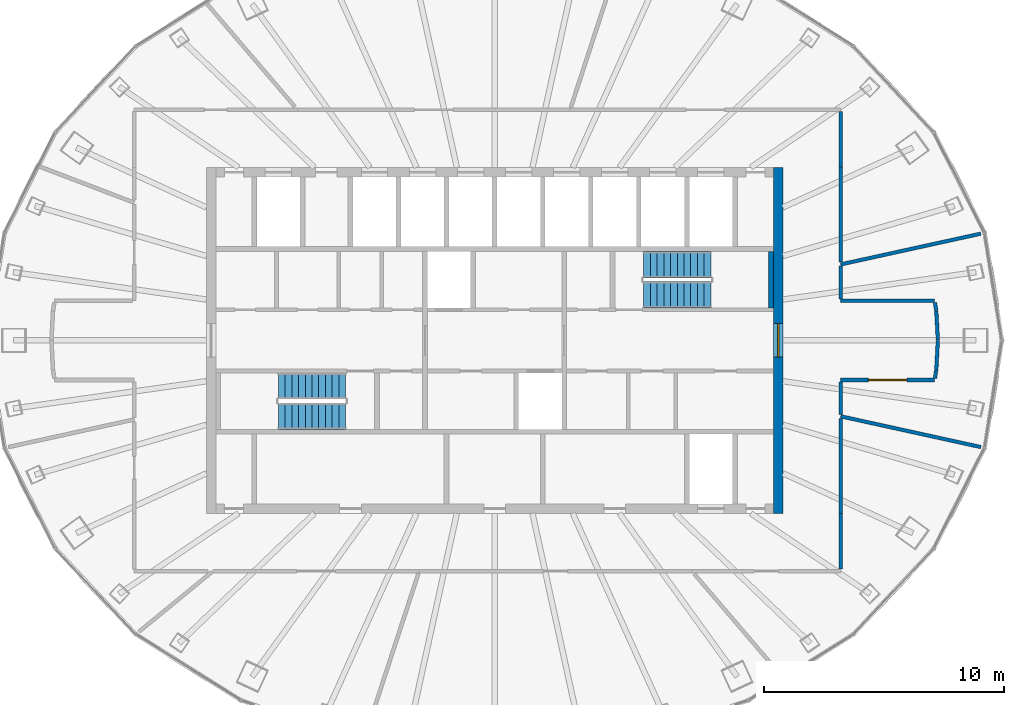
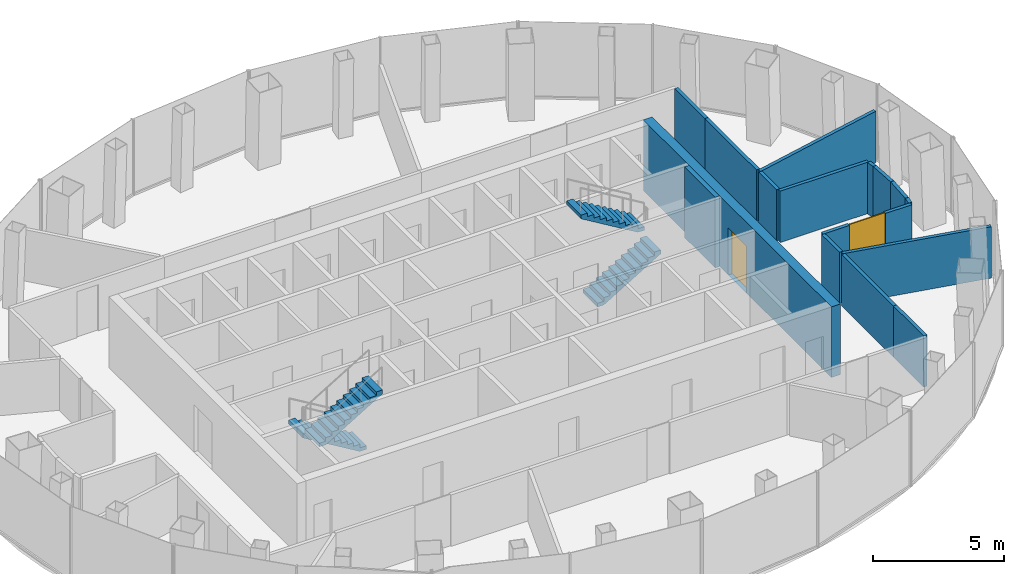
# One storey, part 10 of 11: 16 walls, 4 stair flights, 2 doors, 2 openings, 2 elements without a shape of their own.
"""IFC4 building model written with IfcOpenShell, lengths in metres."""

from ifc_helpers import new_model, si_unit, direction, frame, frame_2d, origin, place, context, subcontext, project, spatial, polyline, rectangle, outline, extrude, material, layer, layer_set, type_object, element, fill, aggregate, save


model = new_model("IFC4")

# Units and contexts
model_context = context("Model", 3, precision=1e-05, world=origin(), true_north=direction((0.0, 1.0)))
body_context = subcontext(model_context, "Body", "Model", "MODEL_VIEW")
ifc_project = project(units=[si_unit("LENGTHUNIT", "METRE"), si_unit("AREAUNIT", "SQUARE_METRE"), si_unit("VOLUMEUNIT", "CUBIC_METRE"), si_unit("PLANEANGLEUNIT", "RADIAN"), si_unit("MASSUNIT", "GRAM", prefix="KILO")], contexts=[model_context])

# Site, building, storey
site_placement = place(None, origin())
site = spatial("IfcSite", under=ifc_project, at=site_placement, CompositionType="ELEMENT")
building_placement = place(site_placement, origin())
building = spatial("IfcBuilding", under=site, at=building_placement, Name="Siaravel Broadcast Tower", CompositionType="ELEMENT")
storey_placement = place(building_placement, frame((0.0, 0.0, 243.0)))
storey = spatial("IfcBuildingStorey", under=building, at=storey_placement, Name="L59", CompositionType="ELEMENT", Elevation=243.0)

# Wall, opening, door
ifc_material_1 = material(Name="Concrete C60/75", Category="concrete")
ifc_layer_1 = layer(ifc_material_1, 0.39990234375)
ifc_layer_set_1 = layer_set([ifc_layer_1], Name="Concrete C60/75")
wall_type_1 = type_object("IfcWallType", Name="Core wall 400", PredefinedType="SHEAR", material=ifc_layer_set_1)
wall_1_placement = place(storey_placement, frame((11.800048828125, -7.199951171875, 0.0), z_axis=(0.0, 0.0, 1.0), x_axis=(0.0, 1.0, 0.0)))
wall_1 = element("IfcWall", 1, at=wall_1_placement, inside=storey, type_object=wall_type_1, Name="L59 core wall OE", PredefinedType="SHEAR", context=body_context, shape_type="SweptSolid", body=[
    extrude(rectangle(XDim=14.39990234375, YDim=0.39990234375, at=frame_2d((7.199951171875, 0.0))), origin(), (0.0, 0.0, 1.0), 3.300048828125),
])
opening_1_placement = place(wall_1_placement, frame((6.5, 0.0, 0.0)))
opening_1 = element("IfcOpeningElement", 2, at=opening_1_placement, cuts=wall_1, Name="Opening L59-DX-E", PredefinedType="OPENING", context=body_context, shape_type="SweptSolid", body=[
    extrude(rectangle(XDim=1.39990234375, YDim=2.199951171875, at=frame_2d((0.699951171875, 1.10009765625))), frame((0.0, 0.2099609375, 0.0), z_axis=(0.0, -1.0, 0.0), x_axis=(1.0, 0.0, 0.0)), (0.0, 0.0, 1.0), 0.419921875),
])
ifc_material_2 = material(Name="Steel", Category="steel")
door_type_1 = type_object("IfcDoorType", Name="Core exit door 1400", OperationType="DOUBLE_DOOR_SINGLE_SWING", PredefinedType="DOOR", material=ifc_material_2)
door_1_placement = place(opening_1_placement, origin())
door_1 = element("IfcDoor", 3, at=door_1_placement, inside=storey, type_object=door_type_1, Name="L59 door DX-E", OperationType="DOUBLE_DOOR_SINGLE_SWING", OverallHeight=2.199951171875, OverallWidth=1.39990234375, PredefinedType="DOOR", context=body_context, shape_type="SweptSolid", body=[
    extrude(rectangle(XDim=1.39990234375, YDim=2.199951171875, at=frame_2d((0.699951171875, 1.10009765625))), frame((0.0, 0.02490234375, 0.0), z_axis=(0.0, -1.0, 0.0), x_axis=(1.0, 0.0, 0.0)), (0.0, 0.0, 1.0), 0.050048828125),
])
fill(opening_1, door_1)

# Walls
ifc_material_3 = material(Name="Gypsum board partition", Category="gypsum")
ifc_layer_2 = layer(ifc_material_3, 0.14990234375)
ifc_layer_set_2 = layer_set([ifc_layer_2], Name="Gypsum board partition")
wall_type_2 = type_object("IfcWallType", Name="Corridor wall 150", PredefinedType="PARTITIONING", material=ifc_layer_set_2)
for number, where, z_axis, x_axis, name in (
    (4, (14.39990234375, -7.2119140625, 0.0), (0.0, 0.0, 1.0), (0.0, 1.0, 0.0), "L59 partition 16"),
    (5, (14.39990234375, 3.255859375, 0.0), (0.0, 0.0, 1.0), (0.0, 1.0, 0.0), "L59 partition 17"),
):
    element("IfcWall", number, at=place(storey_placement, frame(where, z_axis=z_axis, x_axis=x_axis)), inside=storey, type_object=wall_type_2, Name=name, PredefinedType="PARTITIONING", context=body_context, shape_type="SweptSolid", body=[
        extrude(rectangle(XDim=3.9560546875, YDim=0.14990234375, at=frame_2d((1.97802734375, 0.0))), origin(), (0.0, 0.0, 1.0), 2.39990234375),
    ])

# Wall, opening, door
wall_2_placement = place(storey_placement, frame((14.39990234375, -1.64990234375, 0.0), z_axis=(0.0, 0.0, 1.0), x_axis=(1.0, 0.0, 0.0)))
wall_2 = element("IfcWall", 6, at=wall_2_placement, inside=storey, type_object=wall_type_2, Name="L59 partition 20", PredefinedType="PARTITIONING", context=body_context, shape_type="SweptSolid", body=[
    extrude(rectangle(XDim=3.910888671875, YDim=0.14990234375, at=frame_2d((1.95556640625, 0.0))), origin(), (0.0, 0.0, 1.0), 2.39990234375),
])
opening_2_placement = place(wall_2_placement, frame((1.155517578125, 0.0, 0.0)))
opening_2 = element("IfcOpeningElement", 7, at=opening_2_placement, cuts=wall_2, Name="Opening L59-006", PredefinedType="OPENING", context=body_context, shape_type="SweptSolid", body=[
    extrude(rectangle(XDim=1.60009765625, YDim=2.39990234375, at=frame_2d((0.800048828125, 1.199951171875))), frame((0.0, 0.0849609375, 0.0), z_axis=(0.0, -1.0, 0.0), x_axis=(1.0, 0.0, 0.0)), (0.0, 0.0, 1.0), 0.169921875),
])
ifc_material_4 = material(Name="Timber veneer", Category="wood")
door_type_2 = type_object("IfcDoorType", Name="Restaurant double door 1600", OperationType="DOUBLE_DOOR_SINGLE_SWING", PredefinedType="DOOR", material=ifc_material_4)
door_2_placement = place(opening_2_placement, origin())
door_2 = element("IfcDoor", 8, at=door_2_placement, inside=storey, type_object=door_type_2, Name="L59 door to Lounge", OperationType="DOUBLE_DOOR_SINGLE_SWING", OverallHeight=2.39990234375, OverallWidth=1.60009765625, PredefinedType="DOOR", context=body_context, shape_type="SweptSolid", body=[
    extrude(rectangle(XDim=1.60009765625, YDim=2.39990234375, at=frame_2d((0.800048828125, 1.199951171875))), frame((0.0, 0.02490234375, 0.0), z_axis=(0.0, -1.0, 0.0), x_axis=(1.0, 0.0, 0.0)), (0.0, 0.0, 1.0), 0.050048828125),
])
fill(opening_2, door_2)

# Walls
wall_3_placement = place(storey_placement, frame((18.310791015625, 1.64990234375, 0.0), z_axis=(0.0, 0.0, 1.0), x_axis=(-1.0, 0.0, 0.0)))
element("IfcWall", 9, at=wall_3_placement, inside=storey, type_object=wall_type_2, Name="L59 partition 21", PredefinedType="PARTITIONING", context=body_context, shape_type="SweptSolid", body=[
    extrude(rectangle(XDim=3.910888671875, YDim=0.14990234375, at=frame_2d((1.95556640625, 0.0))), origin(), (0.0, 0.0, 1.0), 2.39990234375),
])
for number, where, z_axis, x_axis, name in (
    (10, (14.39990234375, -9.52294921875, 0.0), (0.0, 0.0, 1.0), (0.0, 1.0, 0.0), "L59 partition 27"),
    (11, (14.39990234375, 7.212890625, 0.0), (0.0, 0.0, 1.0), (0.0, 1.0, 0.0), "L59 partition 28"),
):
    element("IfcWall", number, at=place(storey_placement, frame(where, z_axis=z_axis, x_axis=x_axis)), inside=storey, type_object=wall_type_2, Name=name, PredefinedType="PARTITIONING", context=body_context, shape_type="SweptSolid", body=[
        extrude(rectangle(XDim=2.31005859375, YDim=0.14990234375, at=frame_2d((1.155029296875, 0.0))), origin(), (0.0, 0.0, 1.0), 2.39990234375),
    ])
for number, where, z_axis, x_axis, name in (
    (12, (14.39990234375, -3.085205078125, 0.0), (0.0, 0.0, 1.0), (0.0, 1.0, 0.0), "L59 partition 30"),
    (13, (14.39990234375, 1.72705078125, 0.0), (0.0, 0.0, 1.0), (0.0, 1.0, 0.0), "L59 partition 31"),
):
    element("IfcWall", number, at=place(storey_placement, frame(where, z_axis=z_axis, x_axis=x_axis)), inside=storey, type_object=wall_type_2, Name=name, PredefinedType="PARTITIONING", context=body_context, shape_type="SweptSolid", body=[
        extrude(rectangle(XDim=1.358154296875, YDim=0.14990234375, at=frame_2d((0.67919921875, 0.0))), origin(), (0.0, 0.0, 1.0), 2.39990234375),
    ])
wall_4_placement = place(storey_placement, frame((18.37890625, -1.2255859375, 0.0), z_axis=(0.0, 0.0, 1.0), x_axis=(0.053310538, 0.998577982, 0.0)))
element("IfcWall", 14, at=wall_4_placement, inside=storey, type_object=wall_type_2, Name="L59 partition 35", PredefinedType="PARTITIONING", context=body_context, shape_type="SweptSolid", body=[
    extrude(rectangle(XDim=1.227294921875, YDim=0.14990234375, at=frame_2d((0.61376953125, 0.0))), origin(), (0.0, 0.0, 1.0), 2.39990234375),
])
wall_5_placement = place(storey_placement, frame((18.443603515625, 0.010009765625, 0.0), z_axis=(0.0, 0.0, 1.0), x_axis=(-0.053148314, 0.99858663, 0.0)))
element("IfcWall", 15, at=wall_5_placement, inside=storey, type_object=wall_type_2, Name="L59 partition 36", PredefinedType="PARTITIONING", context=body_context, shape_type="SweptSolid", body=[
    extrude(rectangle(XDim=1.21728515625, YDim=0.14990234375, at=frame_2d((0.608642578125, 0.0))), origin(), (0.0, 0.0, 1.0), 2.39990234375),
])
for number, where, z_axis, x_axis, name in (
    (16, (18.32275390625, -1.574951171875, 0.0), (0.0, 0.0, 1.0), (0.158406053, 0.987374054, 0.0), "L59 partition 39"),
    (17, (18.377197265625, 1.235595703125, 0.0), (0.0, 0.0, 1.0), (-0.158406053, 0.987374054, 0.0), "L59 partition 40"),
):
    element("IfcWall", number, at=place(storey_placement, frame(where, z_axis=z_axis, x_axis=x_axis)), inside=storey, type_object=wall_type_2, Name=name, PredefinedType="PARTITIONING", context=body_context, shape_type="SweptSolid", body=[
        extrude(rectangle(XDim=0.34375, YDim=0.14990234375, at=frame_2d((0.171875, 0.0))), origin(), (0.0, 0.0, 1.0), 2.39990234375),
    ])
ifc_layer_3 = layer(ifc_material_3, 0.14990234375)
ifc_layer_set_3 = layer_set([ifc_layer_3], Name="Gypsum board partition")
wall_type_3 = type_object("IfcWallType", Name="Room partition 150", PredefinedType="PARTITIONING", material=ifc_layer_set_3)
wall_6_placement = place(storey_placement, frame((20.23291015625, -4.440673828125, 0.0), z_axis=(0.0, 0.0, 1.0), x_axis=(-0.976749355, 0.214384464, 0.0)))
element("IfcWall", 18, at=wall_6_placement, inside=storey, type_object=wall_type_3, Name="L59 partition 9", PredefinedType="PARTITIONING", context=body_context, shape_type="SweptSolid", body=[
    extrude(rectangle(XDim=5.971923828125, YDim=0.14990234375, at=frame_2d((2.98583984375, 0.0))), origin(), (0.0, 0.0, 1.0), 2.39990234375),
])
wall_7_placement = place(storey_placement, frame((20.2314453125, 4.4404296875, 0.0), z_axis=(0.0, 0.0, 1.0), x_axis=(-0.976746641, -0.214396828, 0.0)))
element("IfcWall", 19, at=wall_7_placement, inside=storey, type_object=wall_type_3, Name="L59 partition 10", PredefinedType="PARTITIONING", context=body_context, shape_type="SweptSolid", body=[
    extrude(rectangle(XDim=5.970458984375, YDim=0.14990234375, at=frame_2d((2.9853515625, 0.0))), origin(), (0.0, 0.0, 1.0), 2.39990234375),
])
ifc_layer_4 = layer(ifc_material_1, 0.199951171875)
ifc_layer_set_4 = layer_set([ifc_layer_4], Name="Concrete C60/75")
wall_type_4 = type_object("IfcWallType", Name="Shaft wall 200", PredefinedType="SHEAR", material=ifc_layer_set_4)
wall_8_placement = place(storey_placement, frame((11.5, 1.35009765625, 0.0), z_axis=(0.0, 0.0, 1.0), x_axis=(0.0, 1.0, 0.0)))
element("IfcWall", 20, at=wall_8_placement, inside=storey, type_object=wall_type_4, Name="L59 core wall ST2E", PredefinedType="SHEAR", context=body_context, shape_type="SweptSolid", body=[
    extrude(rectangle(XDim=2.349853515625, YDim=0.199951171875, at=frame_2d((1.1748046875, 0.0))), origin(), (0.0, 0.0, 1.0), 3.300048828125),
])

# Stair, stair flights
ifc_material_5 = material(Name="Concrete C40/50", Category="concrete")
stair_type = type_object("IfcStairType", Name="Core exit stair", PredefinedType="HALF_TURN_STAIR", material=ifc_material_5)
stair_1_placement = place(storey_placement, origin())
stair_1 = element("IfcStair", 21, at=stair_1_placement, inside=storey, type_object=stair_type, Name="L59 Exit stair ST-1", PredefinedType="HALF_TURN_STAIR")
stair_flight_type = type_object("IfcStairFlightType", Name="Stair flight 1100", PredefinedType="STRAIGHT", material=ifc_material_5)
stair_flight_1_placement = place(storey_placement, frame((-6.199951171875, -1.89990234375, 0.0), z_axis=(0.0, 0.0, 1.0), x_axis=(-1.0, 0.0, 0.0)))
stair_flight_1 = element("IfcStairFlight", 22, at=stair_flight_1_placement, type_object=stair_flight_type, Name="ST-1 flight 1", NumberOfRisers=11, NumberOfTreads=10, PredefinedType="STRAIGHT", RiserHeight=0.1681818, TreadLength=0.28, context=body_context, shape_type="SweptSolid", body=[
    extrude(outline(polyline([(0.0, 0.0), (0.0, 0.168212890625), (0.280029296875, 0.168212890625), (0.280029296875, 0.33642578125), (0.56005859375, 0.33642578125), (0.56005859375, 0.504638671875), (0.840087890625, 0.504638671875), (0.840087890625, 0.672607421875), (1.1201171875, 0.672607421875), (1.1201171875, 0.8408203125), (1.39990234375, 0.8408203125), (1.39990234375, 1.009033203125), (1.679931640625, 1.009033203125), (1.679931640625, 1.17724609375), (1.9599609375, 1.17724609375), (1.9599609375, 1.345458984375), (2.239990234375, 1.345458984375), (2.239990234375, 1.513671875), (2.52001953125, 1.513671875), (2.52001953125, 1.681884765625), (2.800048828125, 1.681884765625), (2.800048828125, 1.85009765625), (2.800048828125, 1.5068359375), (0.291015625, 0.0), (0.0, 0.0)])), frame((0.0, 0.550048828125, 0.0), z_axis=(0.0, -1.0, 0.0), x_axis=(1.0, 0.0, 0.0)), (0.0, 0.0, 1.0), 1.10009765625),
])
stair_flight_2_placement = place(storey_placement, frame((-9.0, -3.14990234375, 1.85009765625), z_axis=(0.0, 0.0, 1.0), x_axis=(1.0, 0.0, 0.0)))
stair_flight_2 = element("IfcStairFlight", 23, at=stair_flight_2_placement, type_object=stair_flight_type, Name="ST-1 flight 2", NumberOfRisers=11, NumberOfTreads=10, PredefinedType="STRAIGHT", RiserHeight=0.1681818, TreadLength=0.28, context=body_context, shape_type="SweptSolid", body=[
    extrude(outline(polyline([(0.0, 0.0), (0.0, 0.168212890625), (0.280029296875, 0.168212890625), (0.280029296875, 0.33642578125), (0.56005859375, 0.33642578125), (0.56005859375, 0.504638671875), (0.840087890625, 0.504638671875), (0.840087890625, 0.672607421875), (1.1201171875, 0.672607421875), (1.1201171875, 0.8408203125), (1.39990234375, 0.8408203125), (1.39990234375, 1.009033203125), (1.679931640625, 1.009033203125), (1.679931640625, 1.17724609375), (1.9599609375, 1.17724609375), (1.9599609375, 1.345458984375), (2.239990234375, 1.345458984375), (2.239990234375, 1.513671875), (2.52001953125, 1.513671875), (2.52001953125, 1.681884765625), (2.800048828125, 1.681884765625), (2.800048828125, 1.85009765625), (2.800048828125, 1.5068359375), (0.291015625, 0.0), (0.0, 0.0)])), frame((0.0, 0.550048828125, 0.0), z_axis=(0.0, -1.0, 0.0), x_axis=(1.0, 0.0, 0.0)), (0.0, 0.0, 1.0), 1.10009765625),
])
aggregate(stair_1, [stair_flight_1, stair_flight_2])

stair_2_placement = place(storey_placement, origin())
stair_2 = element("IfcStair", 24, at=stair_2_placement, inside=storey, type_object=stair_type, Name="L59 Exit stair ST-2", PredefinedType="HALF_TURN_STAIR")
stair_flight_3_placement = place(storey_placement, frame((6.199951171875, 1.89990234375, 0.0), z_axis=(0.0, 0.0, 1.0), x_axis=(1.0, 0.0, 0.0)))
stair_flight_3 = element("IfcStairFlight", 25, at=stair_flight_3_placement, type_object=stair_flight_type, Name="ST-2 flight 1", NumberOfRisers=11, NumberOfTreads=10, PredefinedType="STRAIGHT", RiserHeight=0.1681818, TreadLength=0.28, context=body_context, shape_type="SweptSolid", body=[
    extrude(outline(polyline([(0.0, 0.0), (0.0, 0.168212890625), (0.280029296875, 0.168212890625), (0.280029296875, 0.33642578125), (0.56005859375, 0.33642578125), (0.56005859375, 0.504638671875), (0.840087890625, 0.504638671875), (0.840087890625, 0.672607421875), (1.1201171875, 0.672607421875), (1.1201171875, 0.8408203125), (1.39990234375, 0.8408203125), (1.39990234375, 1.009033203125), (1.679931640625, 1.009033203125), (1.679931640625, 1.17724609375), (1.9599609375, 1.17724609375), (1.9599609375, 1.345458984375), (2.239990234375, 1.345458984375), (2.239990234375, 1.513671875), (2.52001953125, 1.513671875), (2.52001953125, 1.681884765625), (2.800048828125, 1.681884765625), (2.800048828125, 1.85009765625), (2.800048828125, 1.5068359375), (0.291015625, 0.0), (0.0, 0.0)])), frame((0.0, 0.550048828125, 0.0), z_axis=(0.0, -1.0, 0.0), x_axis=(1.0, 0.0, 0.0)), (0.0, 0.0, 1.0), 1.10009765625),
])
stair_flight_4_placement = place(storey_placement, frame((9.0, 3.14990234375, 1.85009765625), z_axis=(0.0, 0.0, 1.0), x_axis=(-1.0, 0.0, 0.0)))
stair_flight_4 = element("IfcStairFlight", 26, at=stair_flight_4_placement, type_object=stair_flight_type, Name="ST-2 flight 2", NumberOfRisers=11, NumberOfTreads=10, PredefinedType="STRAIGHT", RiserHeight=0.1681818, TreadLength=0.28, context=body_context, shape_type="SweptSolid", body=[
    extrude(outline(polyline([(0.0, 0.0), (0.0, 0.168212890625), (0.280029296875, 0.168212890625), (0.280029296875, 0.33642578125), (0.56005859375, 0.33642578125), (0.56005859375, 0.504638671875), (0.840087890625, 0.504638671875), (0.840087890625, 0.672607421875), (1.1201171875, 0.672607421875), (1.1201171875, 0.8408203125), (1.39990234375, 0.8408203125), (1.39990234375, 1.009033203125), (1.679931640625, 1.009033203125), (1.679931640625, 1.17724609375), (1.9599609375, 1.17724609375), (1.9599609375, 1.345458984375), (2.239990234375, 1.345458984375), (2.239990234375, 1.513671875), (2.52001953125, 1.513671875), (2.52001953125, 1.681884765625), (2.800048828125, 1.681884765625), (2.800048828125, 1.85009765625), (2.800048828125, 1.5068359375), (0.291015625, 0.0), (0.0, 0.0)])), frame((0.0, 0.550048828125, 0.0), z_axis=(0.0, -1.0, 0.0), x_axis=(1.0, 0.0, 0.0)), (0.0, 0.0, 1.0), 1.10009765625),
])
aggregate(stair_2, [stair_flight_3, stair_flight_4])

save(model, "model.ifc")
